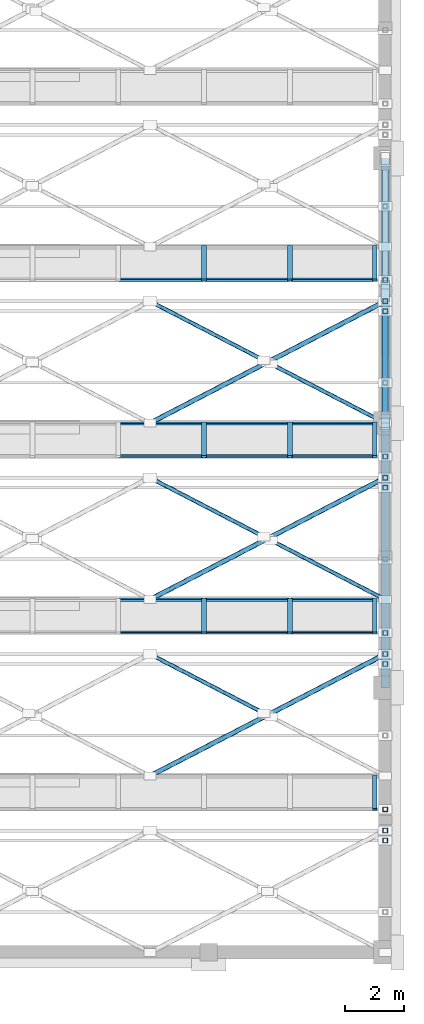
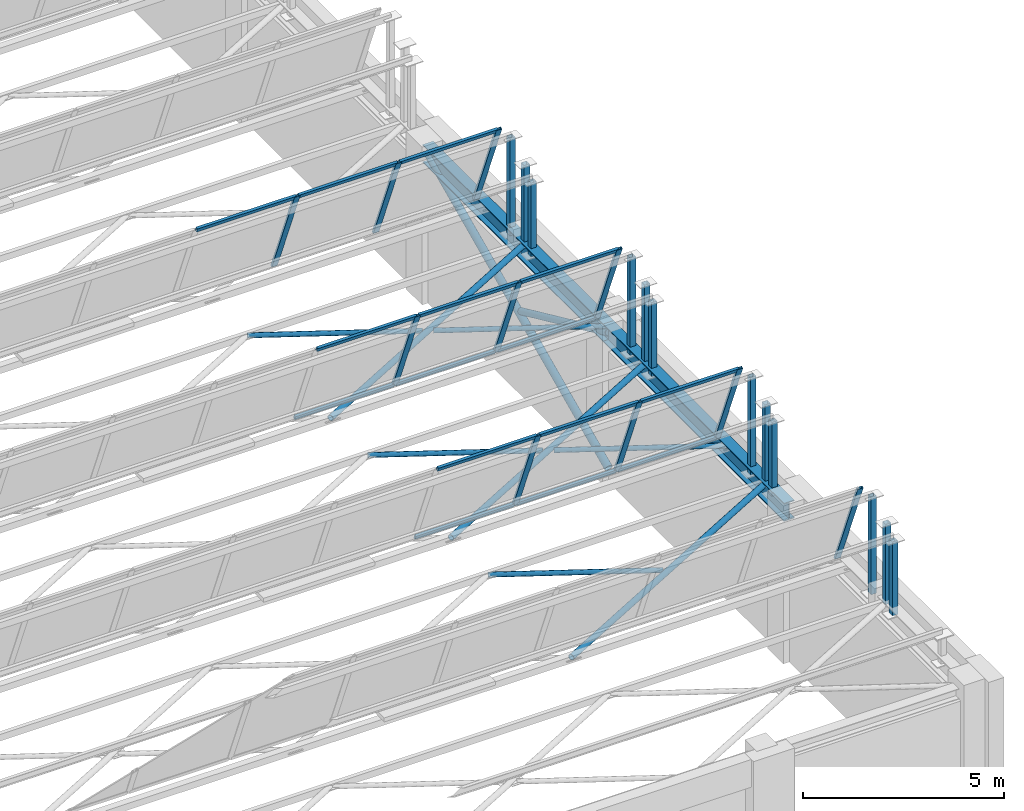
# One storey, part 56 of 98: 47 members, 2 beams, 4 elements without a shape of their own.
"""IFC4 building model written with IfcOpenShell, lengths in metres."""

from ifc_helpers import new_model, si_unit, direction, frame, origin, origin_2d, place, context, subcontext, project, spatial, hollow_rectangle, hollow_circle, i_section, extrude, material, material_profile, profile_set, type_object, element, aggregate, save


model = new_model("IFC4")

# Units and contexts
model_context = context("Model", 3, precision=1e-05, world=origin(), true_north=direction((0.0, 1.0)))
body_context = subcontext(model_context, "Body", "Model", "MODEL_VIEW")
ifc_project = project(units=[si_unit("LENGTHUNIT", "METRE"), si_unit("AREAUNIT", "SQUARE_METRE"), si_unit("VOLUMEUNIT", "CUBIC_METRE"), si_unit("PLANEANGLEUNIT", "RADIAN"), si_unit("MASSUNIT", "GRAM", prefix="KILO")], contexts=[model_context])

# Site, building, storey
site_placement = place(None, origin())
site = spatial("IfcSite", under=ifc_project, at=site_placement, CompositionType="ELEMENT")
building_placement = place(site_placement, origin())
building = spatial("IfcBuilding", under=site, at=building_placement, Name="Lykobir Media Centre", CompositionType="ELEMENT")
storey_placement = place(building_placement, frame((0.0, 0.0, 10.199951171875)))
storey = spatial("IfcBuildingStorey", under=building, at=storey_placement, Name="L02", CompositionType="ELEMENT", Elevation=10.199951171875)

# Beams
ifc_material_1 = material(Name="Steel S355", Category="steel")
ifc_material_profile_1 = material_profile(ifc_material_1, i_section(OverallWidth=0.300048828125, OverallDepth=0.550048828125, WebThickness=0.014892578125, FlangeThickness=0.029052734375, at=origin_2d()), Name="HEB 550")
ifc_profile_set_1 = profile_set([ifc_material_profile_1], Name="Steel S355")
beam_type = type_object("IfcBeamType", Name="BM-HEB550-E", PredefinedType="BEAM", material=ifc_profile_set_1)
for number, where, z_axis, x_axis, name in (
    (1, (168.0, 81.0, 4.275146484375), (0.0, 1.0, 0.0), (-1.0, 0.0, 0.0), "Beam BM-L02-1680-0810-1680-0900-1448"),
    (2, (168.0, 90.0, 4.275146484375), (0.0, 1.0, 0.0), (-1.0, 0.0, 0.0), "Beam BM-L02-1680-0900-1680-0990-1448"),
):
    element("IfcBeam", number, at=place(storey_placement, frame(where, z_axis=z_axis, x_axis=x_axis)), inside=storey, type_object=beam_type, Name=name, PredefinedType="BEAM", context=body_context, shape_type="SweptSolid", body=[
        extrude(i_section(OverallWidth=0.300048828125, OverallDepth=0.550048828125, WebThickness=0.014892578125, FlangeThickness=0.029052734375, at=origin_2d()), origin(), (0.0, 0.0, 1.0), 9.0),
    ])

# Members
ifc_material_profile_2 = material_profile(ifc_material_1, hollow_circle(Radius=0.06982421875, WallThickness=0.008056640625, at=origin_2d()), Name="CHS 139.7x8.0")
ifc_profile_set_2 = profile_set([ifc_material_profile_2], Name="Steel S355")
member_type_1 = type_object("IfcMemberType", Name="BR-CHS140", PredefinedType="BRACE", material=ifc_profile_set_2)
member_1_placement = place(storey_placement, frame((163.875732421875, 80.136962890625, 4.43994140625), z_axis=(-0.88790262671, 0.460031439666, 0.0), x_axis=(-0.460031439666, -0.88790262671, 0.0)))
element("IfcMember", 3, at=member_1_placement, inside=storey, type_object=member_type_1, Name="Diagonal brace MEM2-L02-1639-0801-0146-1600-0821-0316", PredefinedType="BRACE", context=body_context, shape_type="SweptSolid", body=[
    extrude(hollow_circle(Radius=0.06982421875, WallThickness=0.008056640625, at=origin_2d()), origin(), (0.0, 0.0, 1.0), 4.364990234375),
])
member_2_placement = place(storey_placement, frame((168.0, 84.0, 4.43994140625), z_axis=(-0.887879780504, 0.460075532247, 0.0), x_axis=(-0.460075532247, -0.887879780504, 0.0)))
element("IfcMember", 4, at=member_2_placement, inside=storey, type_object=member_type_1, Name="Diagonal brace MEM2-L02-1680-0840-0146-1641-0860-0335", PredefinedType="BRACE", context=body_context, shape_type="SweptSolid", body=[
    extrude(hollow_circle(Radius=0.06982421875, WallThickness=0.008056640625, at=origin_2d()), origin(), (0.0, 0.0, 1.0), 4.365234375),
])
member_3_placement = place(storey_placement, frame((163.875732421875, 86.136962890625, 4.43994140625), z_axis=(-0.88790262671, 0.460031439666, 0.0), x_axis=(-0.460031439666, -0.88790262671, 0.0)))
element("IfcMember", 5, at=member_3_placement, inside=storey, type_object=member_type_1, Name="Diagonal brace MEM2-L02-1639-0861-0146-1600-0881-0336", PredefinedType="BRACE", context=body_context, shape_type="SweptSolid", body=[
    extrude(hollow_circle(Radius=0.06982421875, WallThickness=0.008056640625, at=origin_2d()), origin(), (0.0, 0.0, 1.0), 4.364990234375),
])
member_4_placement = place(storey_placement, frame((168.0, 90.0, 4.43994140625), z_axis=(-0.887879780504, 0.460075532247, 0.0), x_axis=(-0.460075532247, -0.887879780504, 0.0)))
element("IfcMember", 6, at=member_4_placement, inside=storey, type_object=member_type_1, Name="Diagonal brace MEM2-L02-1680-0900-0146-1641-0920-0355", PredefinedType="BRACE", context=body_context, shape_type="SweptSolid", body=[
    extrude(hollow_circle(Radius=0.06982421875, WallThickness=0.008056640625, at=origin_2d()), origin(), (0.0, 0.0, 1.0), 4.365234375),
])
member_5_placement = place(storey_placement, frame((163.875732421875, 92.136962890625, 4.43994140625), z_axis=(-0.88790262671, 0.460031439666, 0.0), x_axis=(-0.460031439666, -0.88790262671, 0.0)))
element("IfcMember", 7, at=member_5_placement, inside=storey, type_object=member_type_1, Name="Diagonal brace MEM2-L02-1639-0921-0146-1600-0941-0356", PredefinedType="BRACE", context=body_context, shape_type="SweptSolid", body=[
    extrude(hollow_circle(Radius=0.06982421875, WallThickness=0.008056640625, at=origin_2d()), origin(), (0.0, 0.0, 1.0), 4.364990234375),
])
ifc_material_profile_3 = material_profile(ifc_material_1, hollow_circle(Radius=0.084228515625, WallThickness=0.010009765625, at=origin_2d()), Name="CHS 168.3x10.0")
ifc_profile_set_3 = profile_set([ifc_material_profile_3], Name="Steel S355")
member_type_2 = type_object("IfcMemberType", Name="BR-CHS168", PredefinedType="BRACE", material=ifc_profile_set_3)
for number, where, z_axis, x_axis, name in (
    (8, (160.0, 78.0, 4.43994140625), (0.887896386773, 0.460043483113, 0.0), (-0.460043483113, 0.887896386773, 0.0), "Diagonal brace MEM2-L02-1600-0780-0146-1680-0821-0314"),
    (9, (160.0, 84.0, 4.43994140625), (0.887896386773, 0.460043483113, 0.0), (-0.460043483113, 0.887896386773, 0.0), "Diagonal brace MEM2-L02-1600-0840-0146-1680-0881-0334"),
    (10, (160.0, 90.0, 4.43994140625), (0.887896386773, 0.460043483113, 0.0), (-0.460043483113, 0.887896386773, 0.0), "Diagonal brace MEM2-L02-1600-0900-0146-1680-0941-0354"),
):
    element("IfcMember", number, at=place(storey_placement, frame(where, z_axis=z_axis, x_axis=x_axis)), inside=storey, type_object=member_type_2, Name=name, PredefinedType="BRACE", context=body_context, shape_type="SweptSolid", body=[
        extrude(hollow_circle(Radius=0.084228515625, WallThickness=0.010009765625, at=origin_2d()), origin(), (0.0, 0.0, 1.0), 9.010009765625),
    ])
ifc_material_profile_4 = material_profile(ifc_material_1, hollow_circle(Radius=0.096923828125, WallThickness=0.010009765625, at=origin_2d()), Name="CHS 193.7x10.0")
ifc_profile_set_4 = profile_set([ifc_material_profile_4], Name="Steel S355")
member_type_3 = type_object("IfcMemberType", Name="BR-CHS194-E", PredefinedType="BRACE", material=ifc_profile_set_4)
member_6_placement = place(storey_placement, frame((168.0, 94.3544921875, 2.24658203125), z_axis=(0.0, -0.909254600078, 0.416240401976), x_axis=(1.0, 0.0, 0.0)))
element("IfcMember", 11, at=member_6_placement, inside=storey, type_object=member_type_3, Name="Diagonal brace MEM2-L02-1680-0944-0124-1680-0900-0550", PredefinedType="BRACE", context=body_context, shape_type="SweptSolid", body=[
    extrude(hollow_circle(Radius=0.096923828125, WallThickness=0.010009765625, at=origin_2d()), origin(), (0.0, 0.0, 1.0), 4.7890625),
])
ifc_material_profile_5 = material_profile(ifc_material_1, hollow_circle(Radius=0.109619140625, WallThickness=0.012451171875, at=origin_2d()), Name="CHS 219.1x12.5")
ifc_profile_set_5 = profile_set([ifc_material_profile_5], Name="Steel S355")
member_type_4 = type_object("IfcMemberType", Name="BR-CHS219-E", PredefinedType="BRACE", material=ifc_profile_set_5)
member_7_placement = place(storey_placement, frame((168.0, 90.0, 0.1201171875), z_axis=(0.0, 0.909260911954, 0.416226613748), x_axis=(-1.0, 0.0, 0.0)))
element("IfcMember", 12, at=member_7_placement, inside=storey, type_object=member_type_4, Name="Diagonal brace MEM2-L02-1680-0900-0103-1680-0990-0548", PredefinedType="BRACE", context=body_context, shape_type="SweptSolid", body=[
    extrude(hollow_circle(Radius=0.109619140625, WallThickness=0.012451171875, at=origin_2d()), origin(), (0.0, 0.0, 1.0), 9.898193359375),
])
ifc_material_profile_6 = material_profile(ifc_material_1, hollow_rectangle(XDim=0.159912109375, YDim=0.159912109375, WallThickness=0.008056640625, at=origin_2d()), Name="SHS 160x160x8")
ifc_profile_set_6 = profile_set([ifc_material_profile_6], Name="Steel S355")
member_type_5 = type_object("IfcMemberType", Name="BR-SHS160-E", PredefinedType="BRACE", material=ifc_profile_set_6)
member_8_placement = place(storey_placement, frame((168.0, 76.864990234375, 4.300048828125), z_axis=(0.0, 0.0, 1.0), x_axis=(1.0, 0.0, 0.0)))
element("IfcMember", 13, at=member_8_placement, inside=storey, type_object=member_type_5, Name="Diagonal brace MEM2-L02-1680-0769-0145-1680-0769-0283", PredefinedType="BRACE", context=body_context, shape_type="SweptSolid", body=[
    extrude(hollow_rectangle(XDim=0.159912109375, YDim=0.159912109375, WallThickness=0.008056640625, at=origin_2d()), origin(), (0.0, 0.0, 1.0), 2.958984375),
])
member_9_placement = place(storey_placement, frame((168.0, 76.14501953125, 4.43994140625), z_axis=(0.0, 0.0, 1.0), x_axis=(1.0, 0.0, 0.0)))
element("IfcMember", 14, at=member_9_placement, inside=storey, type_object=member_type_5, Name="Diagonal brace MEM2-L02-1680-0761-0146-1680-0761-0285", PredefinedType="BRACE", context=body_context, shape_type="SweptSolid", body=[
    extrude(hollow_rectangle(XDim=0.159912109375, YDim=0.159912109375, WallThickness=0.008056640625, at=origin_2d()), origin(), (0.0, 0.0, 1.0), 2.433349609375),
])
member_10_placement = place(storey_placement, frame((168.0, 75.805908203125, 4.300048828125), z_axis=(0.0, 0.0, 1.0), x_axis=(1.0, 0.0, 0.0)))
element("IfcMember", 15, at=member_10_placement, inside=storey, type_object=member_type_5, Name="Diagonal brace MEM2-L02-1680-0758-0145-1680-0758-0300", PredefinedType="BRACE", context=body_context, shape_type="SweptSolid", body=[
    extrude(hollow_rectangle(XDim=0.159912109375, YDim=0.159912109375, WallThickness=0.008056640625, at=origin_2d()), origin(), (0.0, 0.0, 1.0), 2.24462890625),
])
member_11_placement = place(storey_placement, frame((168.0, 82.864990234375, 4.300048828125), z_axis=(0.0, 0.0, 1.0), x_axis=(1.0, 0.0, 0.0)))
element("IfcMember", 16, at=member_11_placement, inside=storey, type_object=member_type_5, Name="Diagonal brace MEM2-L02-1680-0829-0145-1680-0829-0303", PredefinedType="BRACE", context=body_context, shape_type="SweptSolid", body=[
    extrude(hollow_rectangle(XDim=0.159912109375, YDim=0.159912109375, WallThickness=0.008056640625, at=origin_2d()), origin(), (0.0, 0.0, 1.0), 2.958984375),
])
member_12_placement = place(storey_placement, frame((168.0, 82.14501953125, 4.43994140625), z_axis=(0.0, 0.0, 1.0), x_axis=(1.0, 0.0, 0.0)))
element("IfcMember", 17, at=member_12_placement, inside=storey, type_object=member_type_5, Name="Diagonal brace MEM2-L02-1680-0821-0146-1680-0821-0305", PredefinedType="BRACE", context=body_context, shape_type="SweptSolid", body=[
    extrude(hollow_rectangle(XDim=0.159912109375, YDim=0.159912109375, WallThickness=0.008056640625, at=origin_2d()), origin(), (0.0, 0.0, 1.0), 2.433349609375),
])
member_13_placement = place(storey_placement, frame((168.0, 81.805908203125, 4.300048828125), z_axis=(0.0, 0.0, 1.0), x_axis=(1.0, 0.0, 0.0)))
element("IfcMember", 18, at=member_13_placement, inside=storey, type_object=member_type_5, Name="Diagonal brace MEM2-L02-1680-0818-0145-1680-0818-0320", PredefinedType="BRACE", context=body_context, shape_type="SweptSolid", body=[
    extrude(hollow_rectangle(XDim=0.159912109375, YDim=0.159912109375, WallThickness=0.008056640625, at=origin_2d()), origin(), (0.0, 0.0, 1.0), 2.24462890625),
])
member_14_placement = place(storey_placement, frame((168.0, 88.864990234375, 4.300048828125), z_axis=(0.0, 0.0, 1.0), x_axis=(1.0, 0.0, 0.0)))
element("IfcMember", 19, at=member_14_placement, inside=storey, type_object=member_type_5, Name="Diagonal brace MEM2-L02-1680-0889-0145-1680-0889-0323", PredefinedType="BRACE", context=body_context, shape_type="SweptSolid", body=[
    extrude(hollow_rectangle(XDim=0.159912109375, YDim=0.159912109375, WallThickness=0.008056640625, at=origin_2d()), origin(), (0.0, 0.0, 1.0), 2.958984375),
])
member_15_placement = place(storey_placement, frame((168.0, 88.14501953125, 4.43994140625), z_axis=(0.0, 0.0, 1.0), x_axis=(1.0, 0.0, 0.0)))
element("IfcMember", 20, at=member_15_placement, inside=storey, type_object=member_type_5, Name="Diagonal brace MEM2-L02-1680-0881-0146-1680-0881-0325", PredefinedType="BRACE", context=body_context, shape_type="SweptSolid", body=[
    extrude(hollow_rectangle(XDim=0.159912109375, YDim=0.159912109375, WallThickness=0.008056640625, at=origin_2d()), origin(), (0.0, 0.0, 1.0), 2.433349609375),
])
member_16_placement = place(storey_placement, frame((168.0, 87.805908203125, 4.300048828125), z_axis=(0.0, 0.0, 1.0), x_axis=(1.0, 0.0, 0.0)))
element("IfcMember", 21, at=member_16_placement, inside=storey, type_object=member_type_5, Name="Diagonal brace MEM2-L02-1680-0878-0145-1680-0878-0340", PredefinedType="BRACE", context=body_context, shape_type="SweptSolid", body=[
    extrude(hollow_rectangle(XDim=0.159912109375, YDim=0.159912109375, WallThickness=0.008056640625, at=origin_2d()), origin(), (0.0, 0.0, 1.0), 2.24462890625),
])
member_17_placement = place(storey_placement, frame((168.0, 94.864990234375, 4.300048828125), z_axis=(0.0, 0.0, 1.0), x_axis=(1.0, 0.0, 0.0)))
element("IfcMember", 22, at=member_17_placement, inside=storey, type_object=member_type_5, Name="Diagonal brace MEM2-L02-1680-0949-0145-1680-0949-0343", PredefinedType="BRACE", context=body_context, shape_type="SweptSolid", body=[
    extrude(hollow_rectangle(XDim=0.159912109375, YDim=0.159912109375, WallThickness=0.008056640625, at=origin_2d()), origin(), (0.0, 0.0, 1.0), 2.958984375),
])
member_18_placement = place(storey_placement, frame((168.0, 94.14501953125, 4.43994140625), z_axis=(0.0, 0.0, 1.0), x_axis=(1.0, 0.0, 0.0)))
element("IfcMember", 23, at=member_18_placement, inside=storey, type_object=member_type_5, Name="Diagonal brace MEM2-L02-1680-0941-0146-1680-0941-0345", PredefinedType="BRACE", context=body_context, shape_type="SweptSolid", body=[
    extrude(hollow_rectangle(XDim=0.159912109375, YDim=0.159912109375, WallThickness=0.008056640625, at=origin_2d()), origin(), (0.0, 0.0, 1.0), 2.433349609375),
])
member_19_placement = place(storey_placement, frame((168.0, 93.805908203125, 4.300048828125), z_axis=(0.0, 0.0, 1.0), x_axis=(1.0, 0.0, 0.0)))
element("IfcMember", 24, at=member_19_placement, inside=storey, type_object=member_type_5, Name="Diagonal brace MEM2-L02-1680-0938-0145-1680-0938-0360", PredefinedType="BRACE", context=body_context, shape_type="SweptSolid", body=[
    extrude(hollow_rectangle(XDim=0.159912109375, YDim=0.159912109375, WallThickness=0.008056640625, at=origin_2d()), origin(), (0.0, 0.0, 1.0), 2.24462890625),
])

# Curtain wall, member
ifc_material_2 = material(Name="Anodized Aluminium AW-6060", Category="aluminium")
curtain_wall_type = type_object("IfcCurtainWallType", Name="CW-NL-V2", PredefinedType="NOTDEFINED", material=ifc_material_2)
curtain_wall_1_placement = place(storey_placement, origin())
curtain_wall_1 = element("IfcCurtainWall", 25, at=curtain_wall_1_placement, inside=storey, type_object=curtain_wall_type, Name="Curtain wall CW-NL-V2-01", PredefinedType="NOTDEFINED")
ifc_material_profile_7 = material_profile(ifc_material_2, hollow_rectangle(XDim=0.070068359375, YDim=0.1650390625, WallThickness=0.00390625, at=origin_2d()), Name="ALU MULLION 70x165")
ifc_profile_set_7 = profile_set([ifc_material_profile_7], Name="Anodized Aluminium AW-6060")
member_type_6 = type_object("IfcMemberType", Name="CWM-165", PredefinedType="MULLION", material=ifc_profile_set_7)
member_20_placement = place(storey_placement, frame((167.64501953125, 78.0, 4.800048828125), z_axis=(0.0, -0.374653582974, 0.927164868168), x_axis=(0.0, 0.927164868168, 0.374653582974)))
member_20 = element("IfcMember", 26, at=member_20_placement, type_object=member_type_6, Name="CW-NL-V2-01 mullion 9", PredefinedType="MULLION", context=body_context, shape_type="SweptSolid", body=[
    extrude(hollow_rectangle(XDim=0.070068359375, YDim=0.1650390625, WallThickness=0.00390625, at=origin_2d()), origin(), (0.0, 0.0, 1.0), 3.029541015625),
])
aggregate(curtain_wall_1, [member_20])

# Curtain wall, members
curtain_wall_2_placement = place(storey_placement, origin())
curtain_wall_2 = element("IfcCurtainWall", 27, at=curtain_wall_2_placement, inside=storey, type_object=curtain_wall_type, Name="Curtain wall CW-NL-V2-02", PredefinedType="NOTDEFINED")
member_21_placement = place(storey_placement, frame((161.840087890625, 84.0, 4.800048828125), z_axis=(0.0, -0.374653582974, 0.927164868168), x_axis=(0.0, 0.927164868168, 0.374653582974)))
member_21 = element("IfcMember", 28, at=member_21_placement, type_object=member_type_6, Name="CW-NL-V2-02 mullion 7", PredefinedType="MULLION", context=body_context, shape_type="SweptSolid", body=[
    extrude(hollow_rectangle(XDim=0.070068359375, YDim=0.1650390625, WallThickness=0.00390625, at=origin_2d()), origin(), (0.0, 0.0, 1.0), 3.029541015625),
])
member_22_placement = place(storey_placement, frame((164.760009765625, 84.0, 4.800048828125), z_axis=(0.0, -0.374653582974, 0.927164868168), x_axis=(0.0, 0.927164868168, 0.374653582974)))
member_22 = element("IfcMember", 29, at=member_22_placement, type_object=member_type_6, Name="CW-NL-V2-02 mullion 8", PredefinedType="MULLION", context=body_context, shape_type="SweptSolid", body=[
    extrude(hollow_rectangle(XDim=0.070068359375, YDim=0.1650390625, WallThickness=0.00390625, at=origin_2d()), origin(), (0.0, 0.0, 1.0), 3.029541015625),
])
member_23_placement = place(storey_placement, frame((167.64501953125, 84.0, 4.800048828125), z_axis=(0.0, -0.374653582974, 0.927164868168), x_axis=(0.0, 0.927164868168, 0.374653582974)))
member_23 = element("IfcMember", 30, at=member_23_placement, type_object=member_type_6, Name="CW-NL-V2-02 mullion 9", PredefinedType="MULLION", context=body_context, shape_type="SweptSolid", body=[
    extrude(hollow_rectangle(XDim=0.070068359375, YDim=0.1650390625, WallThickness=0.00390625, at=origin_2d()), origin(), (0.0, 0.0, 1.0), 3.029541015625),
])

curtain_wall_3_placement = place(storey_placement, origin())
curtain_wall_3 = element("IfcCurtainWall", 31, at=curtain_wall_3_placement, inside=storey, type_object=curtain_wall_type, Name="Curtain wall CW-NL-V2-03", PredefinedType="NOTDEFINED")
member_24_placement = place(storey_placement, frame((161.840087890625, 90.0, 4.800048828125), z_axis=(0.0, -0.374653582974, 0.927164868168), x_axis=(0.0, 0.927164868168, 0.374653582974)))
member_24 = element("IfcMember", 32, at=member_24_placement, type_object=member_type_6, Name="CW-NL-V2-03 mullion 7", PredefinedType="MULLION", context=body_context, shape_type="SweptSolid", body=[
    extrude(hollow_rectangle(XDim=0.070068359375, YDim=0.1650390625, WallThickness=0.00390625, at=origin_2d()), origin(), (0.0, 0.0, 1.0), 3.029541015625),
])
member_25_placement = place(storey_placement, frame((164.760009765625, 90.0, 4.800048828125), z_axis=(0.0, -0.374653582974, 0.927164868168), x_axis=(0.0, 0.927164868168, 0.374653582974)))
member_25 = element("IfcMember", 33, at=member_25_placement, type_object=member_type_6, Name="CW-NL-V2-03 mullion 8", PredefinedType="MULLION", context=body_context, shape_type="SweptSolid", body=[
    extrude(hollow_rectangle(XDim=0.070068359375, YDim=0.1650390625, WallThickness=0.00390625, at=origin_2d()), origin(), (0.0, 0.0, 1.0), 3.029541015625),
])
member_26_placement = place(storey_placement, frame((167.64501953125, 90.0, 4.800048828125), z_axis=(0.0, -0.374653582974, 0.927164868168), x_axis=(0.0, 0.927164868168, 0.374653582974)))
member_26 = element("IfcMember", 34, at=member_26_placement, type_object=member_type_6, Name="CW-NL-V2-03 mullion 9", PredefinedType="MULLION", context=body_context, shape_type="SweptSolid", body=[
    extrude(hollow_rectangle(XDim=0.070068359375, YDim=0.1650390625, WallThickness=0.00390625, at=origin_2d()), origin(), (0.0, 0.0, 1.0), 3.029541015625),
])

curtain_wall_4_placement = place(storey_placement, origin())
curtain_wall_4 = element("IfcCurtainWall", 35, at=curtain_wall_4_placement, inside=storey, type_object=curtain_wall_type, Name="Curtain wall CW-NL-V2-04", PredefinedType="NOTDEFINED")
member_27_placement = place(storey_placement, frame((161.840087890625, 96.0, 4.800048828125), z_axis=(0.0, -0.374653582974, 0.927164868168), x_axis=(0.0, 0.927164868168, 0.374653582974)))
member_27 = element("IfcMember", 36, at=member_27_placement, type_object=member_type_6, Name="CW-NL-V2-04 mullion 7", PredefinedType="MULLION", context=body_context, shape_type="SweptSolid", body=[
    extrude(hollow_rectangle(XDim=0.070068359375, YDim=0.1650390625, WallThickness=0.00390625, at=origin_2d()), origin(), (0.0, 0.0, 1.0), 3.029541015625),
])
member_28_placement = place(storey_placement, frame((164.760009765625, 96.0, 4.800048828125), z_axis=(0.0, -0.374653582974, 0.927164868168), x_axis=(0.0, 0.927164868168, 0.374653582974)))
member_28 = element("IfcMember", 37, at=member_28_placement, type_object=member_type_6, Name="CW-NL-V2-04 mullion 8", PredefinedType="MULLION", context=body_context, shape_type="SweptSolid", body=[
    extrude(hollow_rectangle(XDim=0.070068359375, YDim=0.1650390625, WallThickness=0.00390625, at=origin_2d()), origin(), (0.0, 0.0, 1.0), 3.029541015625),
])
member_29_placement = place(storey_placement, frame((167.64501953125, 96.0, 4.800048828125), z_axis=(0.0, -0.374653582974, 0.927164868168), x_axis=(0.0, 0.927164868168, 0.374653582974)))
member_29 = element("IfcMember", 38, at=member_29_placement, type_object=member_type_6, Name="CW-NL-V2-04 mullion 9", PredefinedType="MULLION", context=body_context, shape_type="SweptSolid", body=[
    extrude(hollow_rectangle(XDim=0.070068359375, YDim=0.1650390625, WallThickness=0.00390625, at=origin_2d()), origin(), (0.0, 0.0, 1.0), 3.029541015625),
])

# Member
ifc_material_profile_8 = material_profile(ifc_material_2, hollow_rectangle(XDim=0.070068359375, YDim=0.135009765625, WallThickness=0.00341796875, at=origin_2d()), Name="ALU TRANSOM 70x135")
ifc_profile_set_8 = profile_set([ifc_material_profile_8], Name="Anodized Aluminium AW-6060")
member_type_7 = type_object("IfcMemberType", Name="CWT-135", PredefinedType="USERDEFINED", material=ifc_profile_set_8)
member_30_placement = place(storey_placement, frame((158.955078125, 83.98681640625, 4.83251953125), z_axis=(1.0, 0.0, 0.0), x_axis=(0.0, 0.927183854567, 0.374606593416)))
member_30 = element("IfcMember", 39, at=member_30_placement, type_object=member_type_7, Name="CW-NL-V2-02 transom 6.1", ObjectType="TRANSOM", PredefinedType="USERDEFINED", context=body_context, shape_type="SweptSolid", body=[
    extrude(hollow_rectangle(XDim=0.070068359375, YDim=0.135009765625, WallThickness=0.00341796875, at=origin_2d()), origin(), (0.0, 0.0, 1.0), 2.849853515625),
])

member_31_placement = place(storey_placement, frame((158.955078125, 82.878173828125, 7.57666015625), z_axis=(1.0, 0.0, 0.0), x_axis=(0.0, 0.927183854567, 0.374606593416)))
member_31 = element("IfcMember", 40, at=member_31_placement, type_object=member_type_7, Name="CW-NL-V2-02 transom 6.2", ObjectType="TRANSOM", PredefinedType="USERDEFINED", context=body_context, shape_type="SweptSolid", body=[
    extrude(hollow_rectangle(XDim=0.070068359375, YDim=0.135009765625, WallThickness=0.00341796875, at=origin_2d()), origin(), (0.0, 0.0, 1.0), 2.849853515625),
])

member_32_placement = place(storey_placement, frame((161.875, 83.98681640625, 4.83251953125), z_axis=(1.0, 0.0, 0.0), x_axis=(0.0, 0.927183854567, 0.374606593416)))
member_32 = element("IfcMember", 41, at=member_32_placement, type_object=member_type_7, Name="CW-NL-V2-02 transom 7.1", ObjectType="TRANSOM", PredefinedType="USERDEFINED", context=body_context, shape_type="SweptSolid", body=[
    extrude(hollow_rectangle(XDim=0.070068359375, YDim=0.135009765625, WallThickness=0.00341796875, at=origin_2d()), origin(), (0.0, 0.0, 1.0), 2.85009765625),
])

member_33_placement = place(storey_placement, frame((161.875, 82.878173828125, 7.57666015625), z_axis=(1.0, 0.0, 0.0), x_axis=(0.0, 0.927183854567, 0.374606593416)))
member_33 = element("IfcMember", 42, at=member_33_placement, type_object=member_type_7, Name="CW-NL-V2-02 transom 7.2", ObjectType="TRANSOM", PredefinedType="USERDEFINED", context=body_context, shape_type="SweptSolid", body=[
    extrude(hollow_rectangle(XDim=0.070068359375, YDim=0.135009765625, WallThickness=0.00341796875, at=origin_2d()), origin(), (0.0, 0.0, 1.0), 2.85009765625),
])

member_34_placement = place(storey_placement, frame((164.794921875, 83.98681640625, 4.83251953125), z_axis=(1.0, 0.0, 0.0), x_axis=(0.0, 0.927183854567, 0.374606593416)))
member_34 = element("IfcMember", 43, at=member_34_placement, type_object=member_type_7, Name="CW-NL-V2-02 transom 8.1", ObjectType="TRANSOM", PredefinedType="USERDEFINED", context=body_context, shape_type="SweptSolid", body=[
    extrude(hollow_rectangle(XDim=0.070068359375, YDim=0.135009765625, WallThickness=0.00341796875, at=origin_2d()), origin(), (0.0, 0.0, 1.0), 2.815185546875),
])

member_35_placement = place(storey_placement, frame((164.794921875, 82.878173828125, 7.57666015625), z_axis=(1.0, 0.0, 0.0), x_axis=(0.0, 0.927183854567, 0.374606593416)))
member_35 = element("IfcMember", 44, at=member_35_placement, type_object=member_type_7, Name="CW-NL-V2-02 transom 8.2", ObjectType="TRANSOM", PredefinedType="USERDEFINED", context=body_context, shape_type="SweptSolid", body=[
    extrude(hollow_rectangle(XDim=0.070068359375, YDim=0.135009765625, WallThickness=0.00341796875, at=origin_2d()), origin(), (0.0, 0.0, 1.0), 2.815185546875),
])

aggregate(curtain_wall_2, [member_21, member_22, member_23, member_30, member_31, member_32, member_33, member_34, member_35])

member_36_placement = place(storey_placement, frame((158.955078125, 89.98681640625, 4.83251953125), z_axis=(1.0, 0.0, 0.0), x_axis=(0.0, 0.927183854567, 0.374606593416)))
member_36 = element("IfcMember", 45, at=member_36_placement, type_object=member_type_7, Name="CW-NL-V2-03 transom 6.1", ObjectType="TRANSOM", PredefinedType="USERDEFINED", context=body_context, shape_type="SweptSolid", body=[
    extrude(hollow_rectangle(XDim=0.070068359375, YDim=0.135009765625, WallThickness=0.00341796875, at=origin_2d()), origin(), (0.0, 0.0, 1.0), 2.849853515625),
])

member_37_placement = place(storey_placement, frame((158.955078125, 88.878173828125, 7.57666015625), z_axis=(1.0, 0.0, 0.0), x_axis=(0.0, 0.927183854567, 0.374606593416)))
member_37 = element("IfcMember", 46, at=member_37_placement, type_object=member_type_7, Name="CW-NL-V2-03 transom 6.2", ObjectType="TRANSOM", PredefinedType="USERDEFINED", context=body_context, shape_type="SweptSolid", body=[
    extrude(hollow_rectangle(XDim=0.070068359375, YDim=0.135009765625, WallThickness=0.00341796875, at=origin_2d()), origin(), (0.0, 0.0, 1.0), 2.849853515625),
])

member_38_placement = place(storey_placement, frame((161.875, 89.98681640625, 4.83251953125), z_axis=(1.0, 0.0, 0.0), x_axis=(0.0, 0.927183854567, 0.374606593416)))
member_38 = element("IfcMember", 47, at=member_38_placement, type_object=member_type_7, Name="CW-NL-V2-03 transom 7.1", ObjectType="TRANSOM", PredefinedType="USERDEFINED", context=body_context, shape_type="SweptSolid", body=[
    extrude(hollow_rectangle(XDim=0.070068359375, YDim=0.135009765625, WallThickness=0.00341796875, at=origin_2d()), origin(), (0.0, 0.0, 1.0), 2.85009765625),
])

member_39_placement = place(storey_placement, frame((161.875, 88.878173828125, 7.57666015625), z_axis=(1.0, 0.0, 0.0), x_axis=(0.0, 0.927183854567, 0.374606593416)))
member_39 = element("IfcMember", 48, at=member_39_placement, type_object=member_type_7, Name="CW-NL-V2-03 transom 7.2", ObjectType="TRANSOM", PredefinedType="USERDEFINED", context=body_context, shape_type="SweptSolid", body=[
    extrude(hollow_rectangle(XDim=0.070068359375, YDim=0.135009765625, WallThickness=0.00341796875, at=origin_2d()), origin(), (0.0, 0.0, 1.0), 2.85009765625),
])

member_40_placement = place(storey_placement, frame((164.794921875, 89.98681640625, 4.83251953125), z_axis=(1.0, 0.0, 0.0), x_axis=(0.0, 0.927183854567, 0.374606593416)))
member_40 = element("IfcMember", 49, at=member_40_placement, type_object=member_type_7, Name="CW-NL-V2-03 transom 8.1", ObjectType="TRANSOM", PredefinedType="USERDEFINED", context=body_context, shape_type="SweptSolid", body=[
    extrude(hollow_rectangle(XDim=0.070068359375, YDim=0.135009765625, WallThickness=0.00341796875, at=origin_2d()), origin(), (0.0, 0.0, 1.0), 2.815185546875),
])

member_41_placement = place(storey_placement, frame((164.794921875, 88.878173828125, 7.57666015625), z_axis=(1.0, 0.0, 0.0), x_axis=(0.0, 0.927183854567, 0.374606593416)))
member_41 = element("IfcMember", 50, at=member_41_placement, type_object=member_type_7, Name="CW-NL-V2-03 transom 8.2", ObjectType="TRANSOM", PredefinedType="USERDEFINED", context=body_context, shape_type="SweptSolid", body=[
    extrude(hollow_rectangle(XDim=0.070068359375, YDim=0.135009765625, WallThickness=0.00341796875, at=origin_2d()), origin(), (0.0, 0.0, 1.0), 2.815185546875),
])

aggregate(curtain_wall_3, [member_24, member_25, member_26, member_36, member_37, member_38, member_39, member_40, member_41])

member_42_placement = place(storey_placement, frame((158.955078125, 94.878173828125, 7.57666015625), z_axis=(1.0, 0.0, 0.0), x_axis=(0.0, 0.927183854567, 0.374606593416)))
member_42 = element("IfcMember", 51, at=member_42_placement, type_object=member_type_7, Name="CW-NL-V2-04 transom 6.2", ObjectType="TRANSOM", PredefinedType="USERDEFINED", context=body_context, shape_type="SweptSolid", body=[
    extrude(hollow_rectangle(XDim=0.070068359375, YDim=0.135009765625, WallThickness=0.00341796875, at=origin_2d()), origin(), (0.0, 0.0, 1.0), 2.849853515625),
])

member_43_placement = place(storey_placement, frame((161.875, 94.878173828125, 7.57666015625), z_axis=(1.0, 0.0, 0.0), x_axis=(0.0, 0.927183854567, 0.374606593416)))
member_43 = element("IfcMember", 52, at=member_43_placement, type_object=member_type_7, Name="CW-NL-V2-04 transom 7.2", ObjectType="TRANSOM", PredefinedType="USERDEFINED", context=body_context, shape_type="SweptSolid", body=[
    extrude(hollow_rectangle(XDim=0.070068359375, YDim=0.135009765625, WallThickness=0.00341796875, at=origin_2d()), origin(), (0.0, 0.0, 1.0), 2.85009765625),
])

member_44_placement = place(storey_placement, frame((164.794921875, 94.878173828125, 7.57666015625), z_axis=(1.0, 0.0, 0.0), x_axis=(0.0, 0.927183854567, 0.374606593416)))
member_44 = element("IfcMember", 53, at=member_44_placement, type_object=member_type_7, Name="CW-NL-V2-04 transom 8.2", ObjectType="TRANSOM", PredefinedType="USERDEFINED", context=body_context, shape_type="SweptSolid", body=[
    extrude(hollow_rectangle(XDim=0.070068359375, YDim=0.135009765625, WallThickness=0.00341796875, at=origin_2d()), origin(), (0.0, 0.0, 1.0), 2.815185546875),
])

aggregate(curtain_wall_4, [member_27, member_28, member_29, member_42, member_43, member_44])

save(model, "model.ifc")
